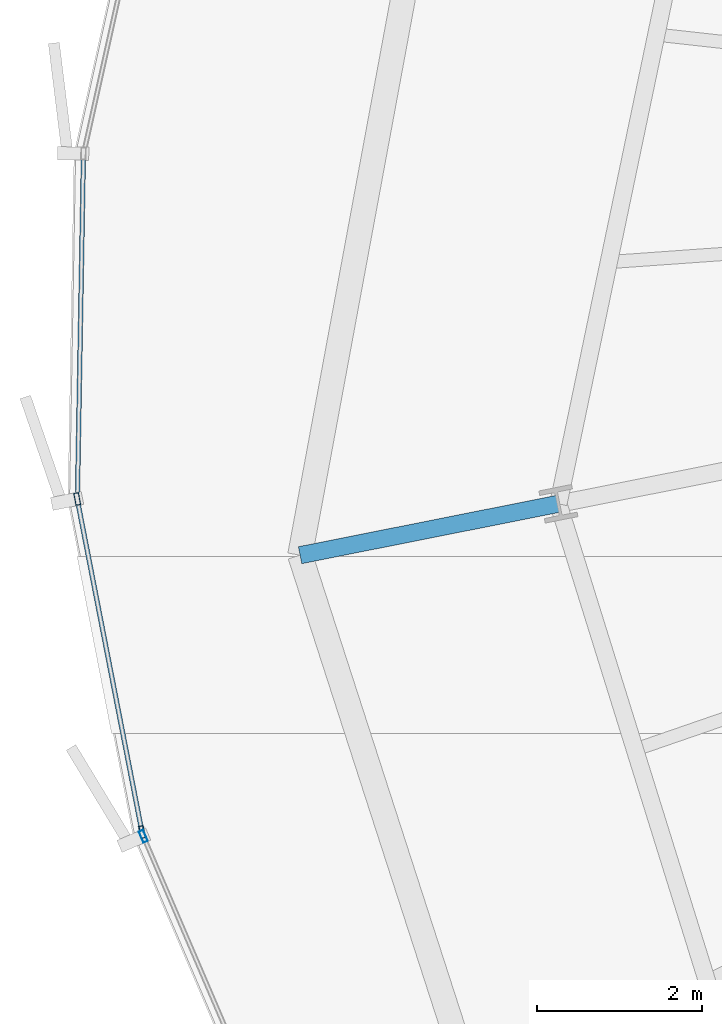
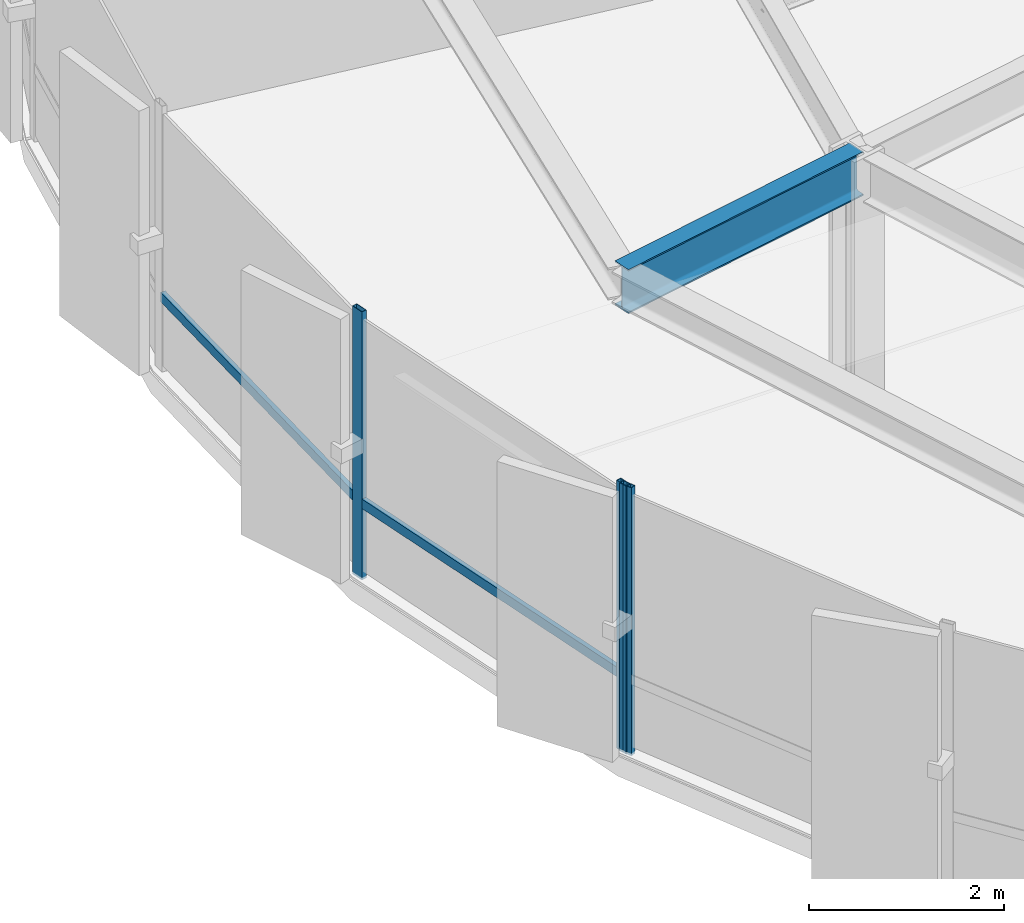
# One storey, part 8 of 35: 5 members, 1 beam, 2 elements without a shape of their own.
"""IFC4 building model written with IfcOpenShell, lengths in metres."""

from ifc_helpers import new_model, si_unit, direction, frame, origin, origin_2d, place, context, subcontext, project, spatial, hollow_rectangle, i_section, extrude, source, transform, mapped, material, layer, layer_set, material_profile, profile_set, type_object, element, aggregate, save


model = new_model("IFC4")

# Units and contexts
model_context = context("Model", 3, precision=1e-05, world=origin(), true_north=direction((0.0, 1.0)))
body_context = subcontext(model_context, "Body", "Model", "MODEL_VIEW")
ifc_project = project(units=[si_unit("LENGTHUNIT", "METRE"), si_unit("AREAUNIT", "SQUARE_METRE"), si_unit("VOLUMEUNIT", "CUBIC_METRE"), si_unit("PLANEANGLEUNIT", "RADIAN"), si_unit("MASSUNIT", "GRAM", prefix="KILO"), si_unit("THERMODYNAMICTEMPERATUREUNIT", "KELVIN")], contexts=[model_context])

# Site, building, storey
site_placement = place(None, origin())
site = spatial("IfcSite", under=ifc_project, at=site_placement, CompositionType="ELEMENT")
building_placement = place(site_placement, origin())
building = spatial("IfcBuilding", under=site, at=building_placement, Name="Kethvar Cultural Tower", CompositionType="ELEMENT")
storey_placement = place(building_placement, frame((0.0, 0.0, 103.60009765625)))
storey = spatial("IfcBuildingStorey", under=building, at=storey_placement, Name="L25", CompositionType="ELEMENT", Elevation=103.60009765625)

# Beam
ifc_material_1 = material(Name="Steel S355J2", Category="steel")
ifc_material_profile_1 = material_profile(ifc_material_1, i_section(OverallWidth=0.2099609375, OverallDepth=0.550048828125, WebThickness=0.010986328125, FlangeThickness=0.01708984375, FilletRadius=0.02392578125, at=origin_2d()), Name="Steel S355J2 — IPE550")
ifc_profile_set_1 = profile_set([ifc_material_profile_1], Name="Steel S355J2 — IPE550")
beam_type = type_object("IfcBeamType", Name="BM-IPE550", PredefinedType="BEAM", material=ifc_profile_set_1)
shared_shape_1 = source(origin(), body_context, "Body", "SweptSolid", [
    extrude(i_section(OverallWidth=0.2099609375, OverallDepth=0.550048828125, WebThickness=0.010986328125, FlangeThickness=0.01708984375, FilletRadius=0.02392578125, at=origin_2d()), origin(), (0.0, 0.0, 1.0), 3.199951171875),
])
beam_placement = place(storey_placement, frame((24.185302734375, 23.3017578125, 3.072998046875), z_axis=(-0.980785550224, -0.195088965533, 0.0), x_axis=(0.195088965533, -0.980785550224, 0.0)))
element("IfcBeam", 1, at=beam_placement, inside=storey, type_object=beam_type, Name="L25 Perimeter Cantilever Beam RC-09", PredefinedType="BEAM", context=body_context, shape_type="MappedRepresentation", body=[
    mapped(shared_shape_1, transform((0.0, 0.0, 0.0), scale=1.0)),
])

# Curtain wall, members
ifc_material_2 = material(Name="Aluminium 6063-T6", Category="aluminium")
ifc_layer = layer(ifc_material_2, 0.179931640625, Name="Aluminium 6063-T6", Category="aluminium")
ifc_layer_set = layer_set([ifc_layer], Name="Aluminium 6063-T6 (180 mm)")
curtain_wall_type = type_object("IfcCurtainWallType", Name="CW-SYS-03-Z2", PredefinedType="NOTDEFINED", material=ifc_layer_set)
curtain_wall_1_placement = place(storey_placement, origin())
curtain_wall_1 = element("IfcCurtainWall", 2, at=curtain_wall_1_placement, inside=storey, type_object=curtain_wall_type, Name="L25 Curtain Wall Run 03", PredefinedType="NOTDEFINED")
ifc_material_profile_2 = material_profile(ifc_material_2, hollow_rectangle(XDim=0.06005859375, YDim=0.14990234375, WallThickness=0.0048828125, at=origin_2d()), Name="Aluminium 6063-T6 — RHS150x60x5")
ifc_profile_set_2 = profile_set([ifc_material_profile_2], Name="Aluminium 6063-T6 — RHS150x60x5")
member_type_1 = type_object("IfcMemberType", Name="CW-SYS-03-Z2-MUL", PredefinedType="MULLION", material=ifc_profile_set_2)
shared_shape_2 = source(origin(), body_context, "Body", "SweptSolid", [
    extrude(hollow_rectangle(XDim=0.06005859375, YDim=0.14990234375, WallThickness=0.0048828125, at=origin_2d()), origin(), (0.0, 0.0, 1.0), 3.349853515625),
])
member_1_placement = place(storey_placement, frame((18.339599609375, 23.3603515625, 0.0), z_axis=(0.0, 0.0, 1.0), x_axis=(0.981600531917, 0.190946054527, 0.0)))
member_1 = element("IfcMember", 3, at=member_1_placement, type_object=member_type_1, Name="CW-L25-R03 Mullion 6", PredefinedType="MULLION", context=body_context, shape_type="MappedRepresentation", body=[
    mapped(shared_shape_2, transform((0.0, 0.0, 0.0), scale=1.0)),
])
member_2_placement = place(storey_placement, frame((19.12646484375, 19.314208984375, 0.0), z_axis=(0.0, 0.0, 1.0), x_axis=(0.981600531917, 0.190946054527, 0.0)))
member_2 = element("IfcMember", 4, at=member_2_placement, type_object=member_type_1, Name="CW-L25-R03 Mullion 7", PredefinedType="MULLION", context=body_context, shape_type="MappedRepresentation", body=[
    mapped(shared_shape_2, transform((0.0, 0.0, 0.0), scale=1.0)),
])

# Curtain wall, member
curtain_wall_2_placement = place(storey_placement, origin())
curtain_wall_2 = element("IfcCurtainWall", 5, at=curtain_wall_2_placement, inside=storey, type_object=curtain_wall_type, Name="L25 Curtain Wall Run 04", PredefinedType="NOTDEFINED")
member_3_placement = place(storey_placement, frame((19.14208984375, 19.263427734375, 0.0), z_axis=(0.0, 0.0, 1.0), x_axis=(0.919190334963, 0.393813570248, 0.0)))
member_3 = element("IfcMember", 6, at=member_3_placement, type_object=member_type_1, Name="CW-L25-R04 Mullion 1", PredefinedType="MULLION", context=body_context, shape_type="MappedRepresentation", body=[
    mapped(shared_shape_2, transform((0.0, 0.0, 0.0), scale=1.0)),
])
aggregate(curtain_wall_2, [member_3])

# Member
ifc_material_profile_3 = material_profile(ifc_material_2, hollow_rectangle(XDim=0.054931640625, YDim=0.1201171875, WallThickness=0.00390625, at=origin_2d()), Name="Aluminium 6063-T6 — RHS120x55x4")
ifc_profile_set_3 = profile_set([ifc_material_profile_3], Name="Aluminium 6063-T6 — RHS120x55x4")
member_type_2 = type_object("IfcMemberType", Name="CW-SYS-03-Z2-TRN", PredefinedType="USERDEFINED", material=ifc_profile_set_3)
shared_shape_3 = source(origin(), body_context, "Body", "SweptSolid", [
    extrude(hollow_rectangle(XDim=0.054931640625, YDim=0.1201171875, WallThickness=0.00390625, at=origin_2d()), origin(), (0.0, 0.0, 1.0), 4.13427734375),
])
member_4_placement = place(storey_placement, frame((18.41455078125, 27.512939453125, 0.949951171875), z_axis=(-0.017480052851, -0.999847212204, 0.0), x_axis=(0.999847212204, -0.017480052851, 0.0)))
member_4 = element("IfcMember", 7, at=member_4_placement, type_object=member_type_2, Name="CW-L25-R03 Transom 5", ObjectType="TRANSOM", PredefinedType="USERDEFINED", context=body_context, shape_type="MappedRepresentation", body=[
    mapped(shared_shape_3, transform((0.0, 0.0, 0.0), scale=1.0)),
])

shared_shape_4 = source(origin(), body_context, "Body", "SweptSolid", [
    extrude(hollow_rectangle(XDim=0.054931640625, YDim=0.1201171875, WallThickness=0.00390625, at=origin_2d()), origin(), (0.0, 0.0, 1.0), 4.07421875),
])
member_5_placement = place(storey_placement, frame((18.34765625, 23.31787109375, 0.949951171875), z_axis=(0.190973910303, -0.981595112856, 0.0), x_axis=(0.981595112856, 0.190973910303, 0.0)))
member_5 = element("IfcMember", 8, at=member_5_placement, type_object=member_type_2, Name="CW-L25-R03 Transom 6", ObjectType="TRANSOM", PredefinedType="USERDEFINED", context=body_context, shape_type="MappedRepresentation", body=[
    mapped(shared_shape_4, transform((0.0, 0.0, 0.0), scale=1.0)),
])

aggregate(curtain_wall_1, [member_1, member_2, member_4, member_5])

save(model, "model.ifc")
